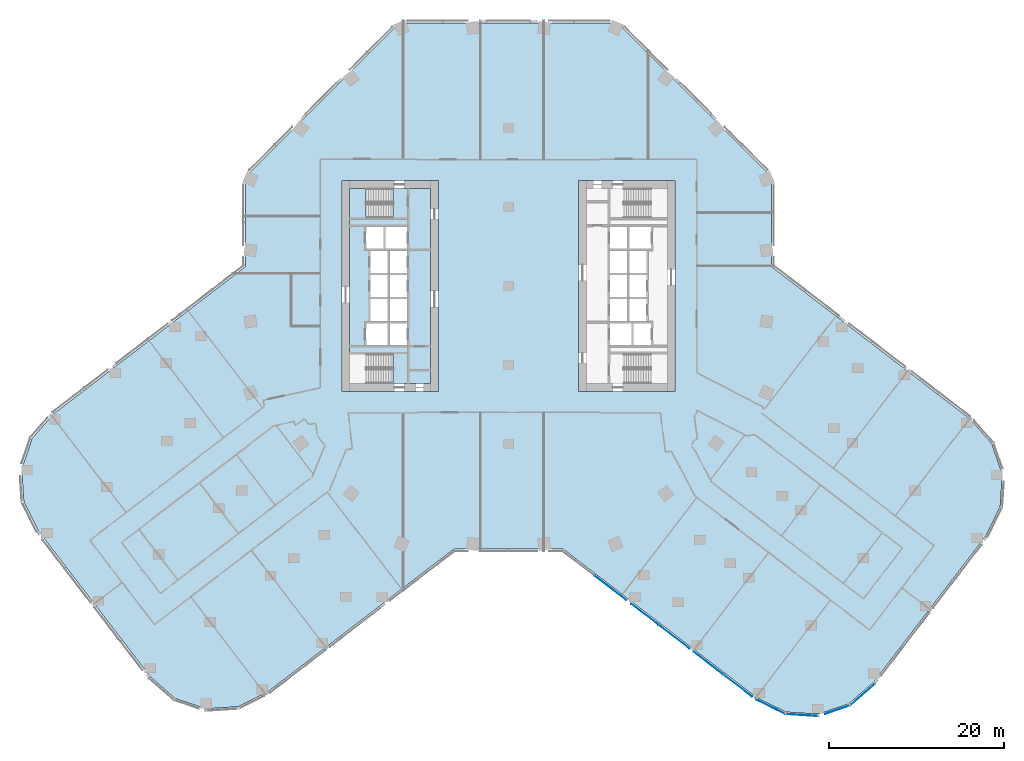
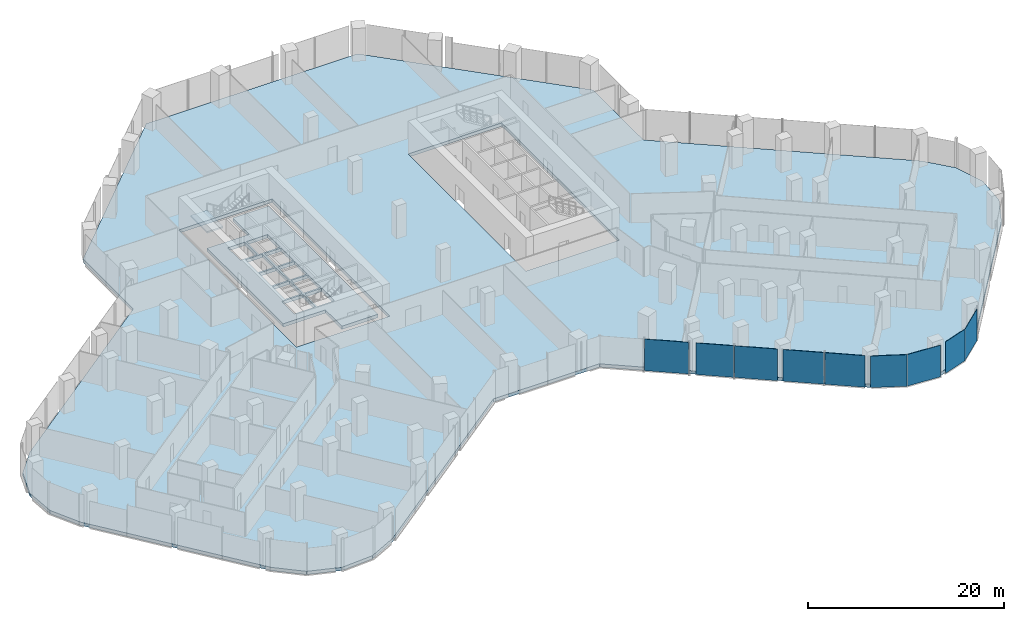
# One storey, part 17 of 29: 9 plates, 3 slabs, 6 elements without a shape of their own.
"""IFC4 building model written with IfcOpenShell, lengths in metres."""

from ifc_helpers import new_model, si_unit, direction, frame, origin, origin_2d, place, context, subcontext, project, spatial, polyline, rectangle, outline, extrude, material, layer, layer_set, type_object, element, aggregate, save


model = new_model("IFC4")

# Units and contexts
model_context = context("Model", 3, precision=1e-05, world=origin(), true_north=direction((0.0, 1.0)))
body_context = subcontext(model_context, "Body", "Model", "MODEL_VIEW")
ifc_project = project(units=[si_unit("LENGTHUNIT", "METRE"), si_unit("AREAUNIT", "SQUARE_METRE"), si_unit("VOLUMEUNIT", "CUBIC_METRE"), si_unit("PLANEANGLEUNIT", "RADIAN"), si_unit("MASSUNIT", "GRAM", prefix="KILO")], contexts=[model_context])

# Site, building, storey
site_placement = place(None, origin())
site = spatial("IfcSite", under=ifc_project, at=site_placement, CompositionType="ELEMENT")
building_placement = place(site_placement, origin())
building = spatial("IfcBuilding", under=site, at=building_placement, Name="Orlundy Tower", CompositionType="ELEMENT")
storey_placement = place(building_placement, frame((0.0, 0.0, 29.199951171875)))
storey = spatial("IfcBuildingStorey", under=building, at=storey_placement, Name="L05", CompositionType="ELEMENT", Elevation=29.199951171875)

# Curtain wall, plates
ifc_material_1 = material(Name="Aluminium bronze anodised", Category="aluminium")
curtain_wall_type = type_object("IfcCurtainWallType", Name="CW2 wall", PredefinedType="NOTDEFINED", material=ifc_material_1)
curtain_wall_1_placement = place(storey_placement, origin())
curtain_wall_1 = element("IfcCurtainWall", 1, at=curtain_wall_1_placement, inside=storey, type_object=curtain_wall_type, Name="CW2 run 00", PredefinedType="NOTDEFINED")
ifc_material_2 = material(Name="Tinted glass", Category="glass")
ifc_layer_1 = layer(ifc_material_2, 0.0380859375)
ifc_layer_set_1 = layer_set([ifc_layer_1], Name="CW2 glass panel 38")
plate_type = type_object("IfcPlateType", Name="CW2 glass panel 38", PredefinedType="CURTAIN_PANEL", material=ifc_layer_set_1)
plate_1_placement = place(storey_placement, frame((26.11962890625, -45.54296875, -0.25), z_axis=(0.0, 0.0, 1.0), x_axis=(-0.793356622022, 0.60875715215, 0.0)))
plate_1 = element("IfcPlate", 2, at=plate_1_placement, type_object=plate_type, Name="CW2 panel", PredefinedType="CURTAIN_PANEL", context=body_context, shape_type="SweptSolid", body=[
    extrude(rectangle(XDim=4.10498046875, YDim=0.0380859375, at=origin_2d()), origin(), (0.0, 0.0, 1.0), 3.929931640625),
])
plate_2_placement = place(storey_placement, frame((22.7744140625, -42.97607421875, -0.25), z_axis=(0.0, 0.0, 1.0), x_axis=(-0.793356622022, 0.60875715215, 0.0)))
plate_2 = element("IfcPlate", 3, at=plate_2_placement, type_object=plate_type, Name="CW2 panel", PredefinedType="CURTAIN_PANEL", context=body_context, shape_type="SweptSolid", body=[
    extrude(rectangle(XDim=4.228271484375, YDim=0.0380859375, at=origin_2d()), origin(), (0.0, 0.0, 1.0), 3.929931640625),
])
plate_3_placement = place(storey_placement, frame((18.888916015625, -39.99462890625, -0.25), z_axis=(0.0, 0.0, 1.0), x_axis=(-0.793356622022, 0.60875715215, 0.0)))
plate_3 = element("IfcPlate", 4, at=plate_3_placement, type_object=plate_type, Name="CW2 panel", PredefinedType="CURTAIN_PANEL", context=body_context, shape_type="SweptSolid", body=[
    extrude(rectangle(XDim=4.3994140625, YDim=0.0380859375, at=origin_2d()), origin(), (0.0, 0.0, 1.0), 3.929931640625),
])
plate_4_placement = place(storey_placement, frame((15.54345703125, -37.427490234375, -0.25), z_axis=(0.0, 0.0, 1.0), x_axis=(-0.793356622022, 0.60875715215, 0.0)))
plate_4 = element("IfcPlate", 5, at=plate_4_placement, type_object=plate_type, Name="CW2 panel", PredefinedType="CURTAIN_PANEL", context=body_context, shape_type="SweptSolid", body=[
    extrude(rectangle(XDim=3.934326171875, YDim=0.0380859375, at=origin_2d()), origin(), (0.0, 0.0, 1.0), 3.929931640625),
])
plate_5_placement = place(storey_placement, frame((11.613037109375, -34.411865234375, -0.25), z_axis=(0.0, 0.0, 1.0), x_axis=(-0.793356622022, 0.60875715215, 0.0)))
plate_5 = element("IfcPlate", 6, at=plate_5_placement, type_object=plate_type, Name="CW2 panel", PredefinedType="CURTAIN_PANEL", context=body_context, shape_type="SweptSolid", body=[
    extrude(rectangle(XDim=4.580810546875, YDim=0.0380859375, at=origin_2d()), origin(), (0.0, 0.0, 1.0), 3.929931640625),
])
aggregate(curtain_wall_1, [plate_1, plate_2, plate_3, plate_4, plate_5])

# Curtain wall, plate
curtain_wall_2_placement = place(storey_placement, origin())
curtain_wall_2 = element("IfcCurtainWall", 7, at=curtain_wall_2_placement, inside=storey, type_object=curtain_wall_type, Name="CW2 run 024", PredefinedType="NOTDEFINED")
plate_6_placement = place(storey_placement, frame((40.3466796875, -46.571533203125, -0.25), z_axis=(0.0, 0.0, 1.0), x_axis=(-0.751857647447, -0.65932547196, 0.0)))
plate_6 = element("IfcPlate", 8, at=plate_6_placement, type_object=plate_type, Name="CW2 panel", PredefinedType="CURTAIN_PANEL", context=body_context, shape_type="SweptSolid", body=[
    extrude(rectangle(XDim=3.75048828125, YDim=0.0380859375, at=origin_2d()), origin(), (0.0, 0.0, 1.0), 3.929931640625),
])
aggregate(curtain_wall_2, [plate_6])

curtain_wall_3_placement = place(storey_placement, origin())
curtain_wall_3 = element("IfcCurtainWall", 9, at=curtain_wall_3_placement, inside=storey, type_object=curtain_wall_type, Name="CW2 run 025", PredefinedType="NOTDEFINED")
plate_7_placement = place(storey_placement, frame((37.5087890625, -48.29296875, -0.25), z_axis=(0.0, 0.0, 1.0), x_axis=(-0.946887788144, -0.321564171921, 0.0)))
plate_7 = element("IfcPlate", 10, at=plate_7_placement, type_object=plate_type, Name="CW2 panel", PredefinedType="CURTAIN_PANEL", context=body_context, shape_type="SweptSolid", body=[
    extrude(rectangle(XDim=3.015869140625, YDim=0.0380859375, at=origin_2d()), origin(), (0.0, 0.0, 1.0), 3.929931640625),
])
aggregate(curtain_wall_3, [plate_7])

curtain_wall_4_placement = place(storey_placement, origin())
curtain_wall_4 = element("IfcCurtainWall", 11, at=curtain_wall_4_placement, inside=storey, type_object=curtain_wall_type, Name="CW2 run 026", PredefinedType="NOTDEFINED")
plate_8_placement = place(storey_placement, frame((33.4443359375, -48.905029296875, -0.25), z_axis=(0.0, 0.0, 1.0), x_axis=(-0.9978491458, 0.065552133657, 0.0)))
plate_8 = element("IfcPlate", 12, at=plate_8_placement, type_object=plate_type, Name="CW2 panel", PredefinedType="CURTAIN_PANEL", context=body_context, shape_type="SweptSolid", body=[
    extrude(rectangle(XDim=3.798828125, YDim=0.0380859375, at=origin_2d()), origin(), (0.0, 0.0, 1.0), 3.929931640625),
])
aggregate(curtain_wall_4, [plate_8])

curtain_wall_5_placement = place(storey_placement, origin())
curtain_wall_5 = element("IfcCurtainWall", 13, at=curtain_wall_5_placement, inside=storey, type_object=curtain_wall_type, Name="CW2 run 027", PredefinedType="NOTDEFINED")
plate_9_placement = place(storey_placement, frame((29.892578125, -47.9638671875, -0.25), z_axis=(0.0, 0.0, 1.0), x_axis=(-0.896895794801, 0.442241939743, 0.0)))
plate_9 = element("IfcPlate", 14, at=plate_9_placement, type_object=plate_type, Name="CW2 panel", PredefinedType="CURTAIN_PANEL", context=body_context, shape_type="SweptSolid", body=[
    extrude(rectangle(XDim=3.693603515625, YDim=0.0380859375, at=origin_2d()), origin(), (0.0, 0.0, 1.0), 3.929931640625),
])
aggregate(curtain_wall_5, [plate_9])

# Slab
ifc_material_3 = material(Name="Concrete C50/60", Category="concrete")
ifc_layer_2 = layer(ifc_material_3, 0.409912109375)
ifc_layer_set_2 = layer_set([ifc_layer_2], Name="Core Floor Slab 410")
slab_type_1 = type_object("IfcSlabType", Name="Core Floor Slab 410", PredefinedType="FLOOR", material=ifc_layer_set_2)
slab_1_placement = place(storey_placement, frame((0.0, 0.0, -0.409912109375)))
element("IfcSlab", 15, at=slab_1_placement, inside=storey, type_object=slab_type_1, Name="Core floor W06", PredefinedType="FLOOR", context=body_context, shape_type="SweptSolid", body=[
    extrude(outline(polyline([(-8.89990234375, -11.10009765625), (-13.14501953125, -11.10009765625), (-13.14501953125, -7.75), (-18.10009765625, -7.75), (-18.10009765625, 7.75), (-13.14501953125, 7.75), (-13.14501953125, 11.10009765625), (-8.89990234375, 11.10009765625), (-8.89990234375, -11.10009765625)]), holes=[polyline([(-11.5400390625, -6.77490234375), (-11.5400390625, -4.22509765625), (-13.5400390625, -4.22509765625), (-13.5400390625, -6.77490234375), (-11.5400390625, -6.77490234375)]), polyline([(-16.239990234375, -6.77490234375), (-13.739990234375, -6.77490234375), (-13.739990234375, -4.22509765625), (-16.239990234375, -4.22509765625), (-16.239990234375, -6.77490234375)]), polyline([(-13.5400390625, -1.47509765625), (-13.5400390625, -4.02490234375), (-11.5400390625, -4.02490234375), (-11.5400390625, -1.47509765625), (-13.5400390625, -1.47509765625)]), polyline([(-13.739990234375, -1.47509765625), (-15.739990234375, -1.47509765625), (-15.739990234375, -4.02490234375), (-13.739990234375, -4.02490234375), (-13.739990234375, -1.47509765625)]), polyline([(-11.5400390625, -1.27490234375), (-11.5400390625, 1.27490234375), (-13.5400390625, 1.27490234375), (-13.5400390625, -1.27490234375), (-11.5400390625, -1.27490234375)]), polyline([(-15.739990234375, -1.27490234375), (-13.739990234375, -1.27490234375), (-13.739990234375, 1.27490234375), (-15.739990234375, 1.27490234375), (-15.739990234375, -1.27490234375)]), polyline([(-13.5400390625, 4.02490234375), (-13.5400390625, 1.47509765625), (-11.5400390625, 1.47509765625), (-11.5400390625, 4.02490234375), (-13.5400390625, 4.02490234375)]), polyline([(-13.739990234375, 4.02490234375), (-15.739990234375, 4.02490234375), (-15.739990234375, 1.47509765625), (-13.739990234375, 1.47509765625), (-13.739990234375, 4.02490234375)]), polyline([(-11.5400390625, 4.22509765625), (-11.5400390625, 6.77490234375), (-14.0400390625, 6.77490234375), (-14.0400390625, 4.22509765625), (-11.5400390625, 4.22509765625)]), polyline([(-16.239990234375, 4.22509765625), (-14.239990234375, 4.22509765625), (-14.239990234375, 6.77490234375), (-16.239990234375, 6.77490234375), (-16.239990234375, 4.22509765625)])]), origin(), (0.0, 0.0, 1.0), 0.409912109375),
])

# Stair, slab
ifc_material_4 = material(Name="Concrete C50/60", Category="concrete")
stair_type = type_object("IfcStairType", Name="Exit Stair 24 risers", PredefinedType="HALF_TURN_STAIR", material=ifc_material_4)
stair_placement = place(storey_placement, origin())
stair = element("IfcStair", 16, at=stair_placement, inside=storey, type_object=stair_type, Name="L05 Exit Stair ST-W1", PredefinedType="HALF_TURN_STAIR")
ifc_material_5 = material(Name="Concrete C50/60", Category="concrete")
ifc_layer_3 = layer(ifc_material_5, 0.199951171875)
ifc_layer_set_3 = layer_set([ifc_layer_3], Name="Exit Stair Landing")
slab_type_2 = type_object("IfcSlabType", Name="Exit Stair Landing", PredefinedType="LANDING", material=ifc_layer_set_3)
slab_2_placement = place(storey_placement, frame((0.0, 0.0, 1.85009765625)))
slab_2 = element("IfcSlab", 17, at=slab_2_placement, type_object=slab_type_2, Name="ST-W1 landing 1", PredefinedType="LANDING", context=body_context, shape_type="SweptSolid", body=[
    extrude(outline(polyline([(-16.219970703125, 11.10009765625), (-18.10009765625, 11.10009765625), (-18.10009765625, 7.75), (-16.219970703125, 7.75), (-16.219970703125, 11.10009765625)])), origin(), (0.0, 0.0, 1.0), 0.199951171875),
])
aggregate(stair, [slab_2])

# Slab
ifc_material_6 = material(Name="Concrete C45/55", Category="concrete")
ifc_layer_4 = layer(ifc_material_6, 0.39990234375)
ifc_layer_set_4 = layer_set([ifc_layer_4], Name="PODIUM FLOOR SLAB THICK 400 C45/55")
slab_type_3 = type_object("IfcSlabType", Name="PODIUM FLOOR SLAB THICK 400 C45/55", PredefinedType="FLOOR", material=ifc_layer_set_4)
slab_3_placement = place(storey_placement, frame((0.0, 0.0, -0.39990234375)))
element("IfcSlab", 18, at=slab_3_placement, inside=storey, type_object=slab_type_3, Name="Floor slab L05", PredefinedType="FLOOR", context=body_context, shape_type="SweptSolid", body=[
    extrude(outline(polyline([(6.242919921875, -30.0), (-6.242919921875, -30.0), (-27.491943359375, -46.304931640625), (-30.81689453125, -47.945068359375), (-34.51611328125, -48.18701171875), (-38.02587890625, -46.99609375), (-40.81298828125, -44.552001953125), (-53.596923828125, -27.89111328125), (-55.236083984375, -24.56689453125), (-55.47802734375, -20.867919921875), (-54.287109375, -17.35791015625), (-51.843017578125, -14.571044921875), (-30.0, 2.18994140625), (-30.0, 12.426025390625), (-12.426025390625, 30.0), (12.426025390625, 30.0), (30.0, 12.426025390625), (30.0, 2.18994140625), (52.635986328125, -15.179931640625), (55.080078125, -17.967041015625), (56.27197265625, -21.47705078125), (56.029052734375, -25.175048828125), (54.389892578125, -28.5), (41.60595703125, -45.159912109375), (38.819091796875, -47.60400390625), (35.30908203125, -48.7958984375), (31.610107421875, -48.552978515625), (28.285888671875, -46.9140625), (6.242919921875, -30.0)]), holes=[polyline([(-8.0, -12.0), (-8.0, 12.0), (-19.0, 12.0), (-19.0, -12.0), (-8.0, -12.0)]), polyline([(19.0, -12.0), (19.0, 12.0), (8.0, 12.0), (8.0, -12.0), (19.0, -12.0)])]), origin(), (0.0, 0.0, 1.0), 0.39990234375),
])

save(model, "model.ifc")
